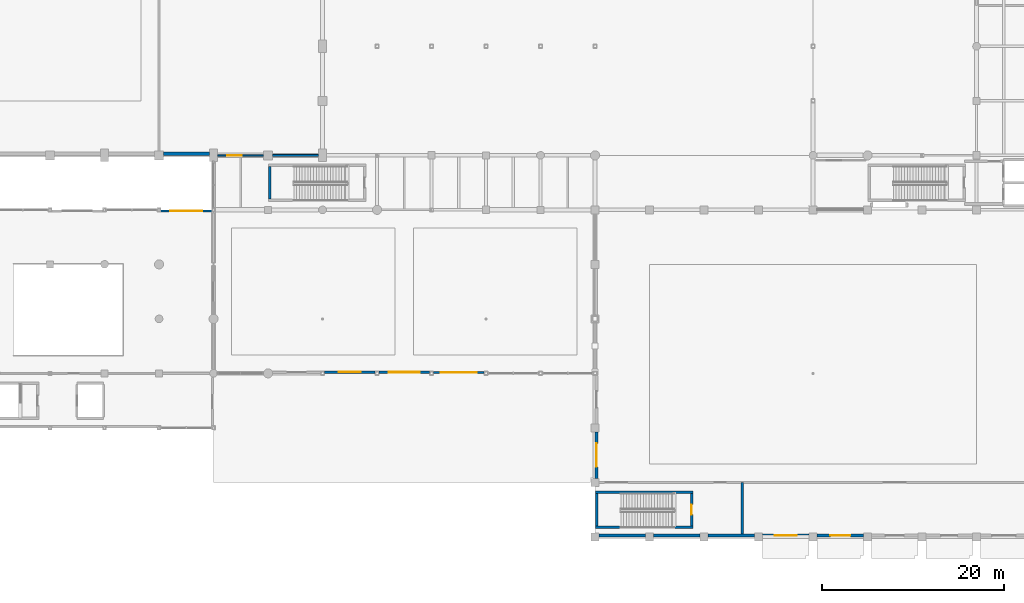
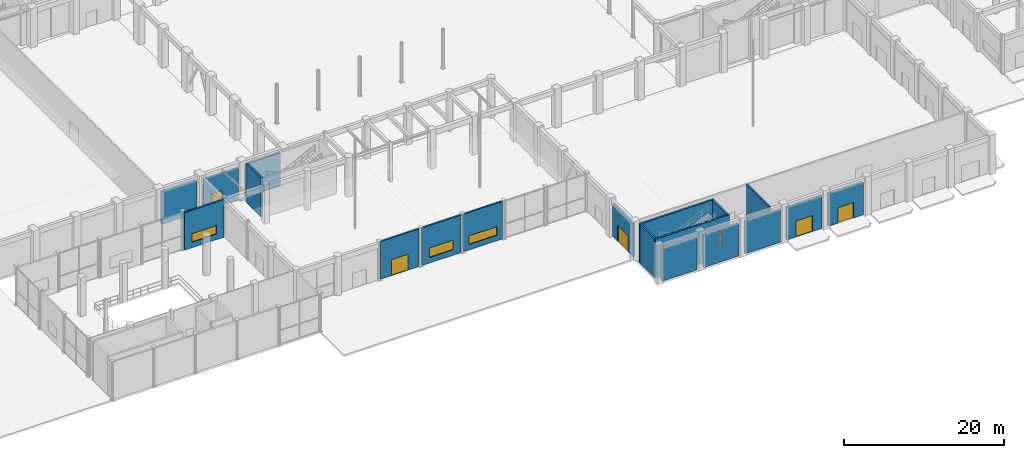
# One storey, part 79 of 106: 19 walls, 6 doors, 3 windows, 9 openings.
"""IFC4 building model written with IfcOpenShell, lengths in metres."""

from ifc_helpers import new_model, si_unit, direction, frame, frame_2d, origin, place, context, subcontext, project, spatial, rectangle, extrude, material, layer, layer_set, type_object, element, fill, save


model = new_model("IFC4")

# Units and contexts
model_context = context("Model", 3, precision=1e-05, world=origin(), true_north=direction((0.0, 1.0)))
body_context = subcontext(model_context, "Body", "Model", "MODEL_VIEW")
ifc_project = project(units=[si_unit("LENGTHUNIT", "METRE"), si_unit("AREAUNIT", "SQUARE_METRE"), si_unit("VOLUMEUNIT", "CUBIC_METRE"), si_unit("PLANEANGLEUNIT", "RADIAN"), si_unit("MASSUNIT", "GRAM", prefix="KILO"), si_unit("THERMODYNAMICTEMPERATUREUNIT", "KELVIN"), si_unit("POWERUNIT", "WATT")], contexts=[model_context])

# Site, building, storey
site_placement = place(None, origin())
site = spatial("IfcSite", under=ifc_project, at=site_placement, CompositionType="ELEMENT")
building_placement = place(site_placement, origin())
building = spatial("IfcBuilding", under=site, at=building_placement, Name="Phaisarnlok Congress Hotel", CompositionType="ELEMENT")
storey_placement = place(building_placement, origin())
storey = spatial("IfcBuildingStorey", under=building, at=storey_placement, Name="L00", CompositionType="ELEMENT", Elevation=0.0)

# Wall, opening, window
ifc_material_1 = material(Name="Concrete C40/50", Category="concrete")
ifc_layer_1 = layer(ifc_material_1, 0.22998046875, Name="Concrete C40/50")
ifc_layer_set_1 = layer_set([ifc_layer_1], Name="Concrete C40/50")
wall_type_1 = type_object("IfcWallType", Name="WL-EXT-230", PredefinedType="SOLIDWALL", material=ifc_layer_set_1)
wall_1_placement = place(storey_placement, frame((78.208251953125, 18.114990234375, 0.0), z_axis=(0.0, 0.0, 1.0), x_axis=(1.0, 0.0, 0.0)))
wall_1 = element("IfcWall", 1, at=wall_1_placement, inside=storey, type_object=wall_type_1, Name="Exterior wall EW-06 (L00)", PredefinedType="SOLIDWALL", context=body_context, shape_type="SweptSolid", body=[
    extrude(rectangle(XDim=5.58349609375, YDim=0.22998046875, at=frame_2d((2.791748046875, 0.0))), origin(), (0.0, 0.0, 1.0), 5.739990234375),
])
opening_1_placement = place(wall_1_placement, frame((0.7919921875, 0.0, 0.85009765625)))
opening_1 = element("IfcOpeningElement", 2, at=opening_1_placement, cuts=wall_1, Name="Opening W-19", PredefinedType="OPENING", context=body_context, shape_type="SweptSolid", body=[
    extrude(rectangle(XDim=4.0, YDim=1.300048828125, at=frame_2d((2.0, 0.64990234375))), frame((0.0, 0.125, 0.0), z_axis=(0.0, -1.0, 0.0), x_axis=(1.0, 0.0, 0.0)), (0.0, 0.0, 1.0), 0.25),
])
ifc_material_2 = material(Name="Thermally Broken Aluminium & Low-E Double Glazing", Category="aluminium")
window_type_1 = type_object("IfcWindowType", Name="WIN-CLER-4000", PartitioningType="SINGLE_PANEL", PredefinedType="WINDOW", material=ifc_material_2)
window_1_placement = place(opening_1_placement, origin())
window_1 = element("IfcWindow", 3, at=window_1_placement, inside=storey, type_object=window_type_1, Name="Podium window W-19 (L00)", OverallHeight=1.300048828125, OverallWidth=4.0, PartitioningType="SINGLE_PANEL", PredefinedType="WINDOW", context=body_context, shape_type="SweptSolid", body=[
    extrude(rectangle(XDim=4.0, YDim=1.300048828125, at=frame_2d((2.0, 0.64990234375))), frame((0.0, 0.030029296875, 0.0), z_axis=(0.0, -1.0, 0.0), x_axis=(1.0, 0.0, 0.0)), (0.0, 0.0, 1.0), 0.06005859375),
])
fill(opening_1, window_1)

ifc_layer_2 = layer(ifc_material_1, 0.25, Name="Concrete C40/50")
ifc_layer_set_2 = layer_set([ifc_layer_2], Name="Concrete C40/50")
wall_type_2 = type_object("IfcWallType", Name="WL-EXT-250", PredefinedType="SOLIDWALL", material=ifc_layer_set_2)
wall_2_placement = place(storey_placement, frame((72.208251953125, 18.125, 0.0), z_axis=(0.0, 0.0, 1.0), x_axis=(1.0, 0.0, 0.0)))
wall_2 = element("IfcWall", 4, at=wall_2_placement, inside=storey, type_object=wall_type_2, Name="Exterior wall EW-05 (L00)", PredefinedType="SOLIDWALL", context=body_context, shape_type="SweptSolid", body=[
    extrude(rectangle(XDim=5.58349609375, YDim=0.25, at=frame_2d((2.791748046875, 0.0))), origin(), (0.0, 0.0, 1.0), 5.739990234375),
])
opening_2_placement = place(wall_2_placement, frame((1.092041015625, 0.0, 0.85009765625)))
opening_2 = element("IfcOpeningElement", 5, at=opening_2_placement, cuts=wall_2, Name="Opening W-18", PredefinedType="OPENING", context=body_context, shape_type="SweptSolid", body=[
    extrude(rectangle(XDim=3.39990234375, YDim=1.449951171875, at=frame_2d((1.699951171875, 0.72509765625))), frame((0.0, 0.135009765625, 0.0), z_axis=(0.0, -1.0, 0.0), x_axis=(1.0, 0.0, 0.0)), (0.0, 0.0, 1.0), 0.27001953125),
])
window_type_2 = type_object("IfcWindowType", Name="WIN-RIB-3400", PartitioningType="SINGLE_PANEL", PredefinedType="WINDOW", material=ifc_material_2)
window_2_placement = place(opening_2_placement, origin())
window_2 = element("IfcWindow", 6, at=window_2_placement, inside=storey, type_object=window_type_2, Name="Podium window W-18 (L00)", OverallHeight=1.449951171875, OverallWidth=3.39990234375, PartitioningType="SINGLE_PANEL", PredefinedType="WINDOW", context=body_context, shape_type="SweptSolid", body=[
    extrude(rectangle(XDim=3.39990234375, YDim=1.449951171875, at=frame_2d((1.699951171875, 0.72509765625))), frame((0.0, 0.030029296875, 0.0), z_axis=(0.0, -1.0, 0.0), x_axis=(1.0, 0.0, 0.0)), (0.0, 0.0, 1.0), 0.06005859375),
])
fill(opening_2, window_2)

wall_3_placement = place(storey_placement, frame((53.8330078125, 35.875, 0.0), z_axis=(0.0, 0.0, 1.0), x_axis=(-1.0, 0.0, 0.0)))
wall_3 = element("IfcWall", 7, at=wall_3_placement, inside=storey, type_object=wall_type_2, Name="Exterior wall EW-05 (L00)", PredefinedType="SOLIDWALL", context=body_context, shape_type="SweptSolid", body=[
    extrude(rectangle(XDim=5.666015625, YDim=0.25, at=frame_2d((2.8330078125, 0.0))), origin(), (0.0, 0.0, 1.0), 5.739990234375),
])
opening_3_placement = place(wall_3_placement, frame((1.0830078125, 0.0, 0.85009765625)))
opening_3 = element("IfcOpeningElement", 8, at=opening_3_placement, cuts=wall_3, Name="Opening W-20", PredefinedType="OPENING", context=body_context, shape_type="SweptSolid", body=[
    extrude(rectangle(XDim=3.5, YDim=1.300048828125, at=frame_2d((1.75, 0.64990234375))), frame((0.0, 0.135009765625, 0.0), z_axis=(0.0, -1.0, 0.0), x_axis=(1.0, 0.0, 0.0)), (0.0, 0.0, 1.0), 0.27001953125),
])
window_type_3 = type_object("IfcWindowType", Name="WIN-CLER-3500", PartitioningType="SINGLE_PANEL", PredefinedType="WINDOW", material=ifc_material_2)
window_3_placement = place(opening_3_placement, origin())
window_3 = element("IfcWindow", 9, at=window_3_placement, inside=storey, type_object=window_type_3, Name="Podium window W-20 (L00)", OverallHeight=1.300048828125, OverallWidth=3.5, PartitioningType="SINGLE_PANEL", PredefinedType="WINDOW", context=body_context, shape_type="SweptSolid", body=[
    extrude(rectangle(XDim=3.5, YDim=1.300048828125, at=frame_2d((1.75, 0.64990234375))), frame((0.0, 0.030029296875, 0.0), z_axis=(0.0, -1.0, 0.0), x_axis=(1.0, 0.0, 0.0)), (0.0, 0.0, 1.0), 0.06005859375),
])
fill(opening_3, window_3)

# Wall, opening, door
ifc_layer_3 = layer(ifc_material_1, 0.27001953125, Name="Concrete C40/50")
ifc_layer_set_3 = layer_set([ifc_layer_3], Name="Concrete C40/50")
wall_type_3 = type_object("IfcWallType", Name="WL-EXT-270", PredefinedType="SOLIDWALL", material=ifc_layer_set_3)
wall_4_placement = place(storey_placement, frame((66.208251953125, 18.135009765625, 0.0), z_axis=(0.0, 0.0, 1.0), x_axis=(1.0, 0.0, 0.0)))
wall_4 = element("IfcWall", 10, at=wall_4_placement, inside=storey, type_object=wall_type_3, Name="Exterior wall EW-04 (L00)", PredefinedType="SOLIDWALL", context=body_context, shape_type="SweptSolid", body=[
    extrude(rectangle(XDim=5.58349609375, YDim=0.27001953125, at=frame_2d((2.791748046875, 0.0))), origin(), (0.0, 0.0, 1.0), 5.739990234375),
])
opening_4_placement = place(wall_4_placement, frame((1.592041015625, 0.0, 0.0)))
opening_4 = element("IfcOpeningElement", 11, at=opening_4_placement, cuts=wall_4, Name="Opening TD-02", PredefinedType="OPENING", context=body_context, shape_type="SweptSolid", body=[
    extrude(rectangle(XDim=2.39990234375, YDim=2.449951171875, at=frame_2d((1.199951171875, 1.22509765625))), frame((0.0, 0.14501953125, 0.0), z_axis=(0.0, -1.0, 0.0), x_axis=(1.0, 0.0, 0.0)), (0.0, 0.0, 1.0), 0.2900390625),
])
ifc_material_3 = material(Name="Powder-Coated Steel & Laminated Safety Glass", Category="steel")
door_type_1 = type_object("IfcDoorType", Name="DR-ENTR-2400", OperationType="DOUBLE_DOOR_SLIDING", PredefinedType="DOOR", material=ifc_material_3)
door_1_placement = place(opening_4_placement, frame((2.39990234375, 0.0, 0.0), z_axis=(0.0, 0.0, 1.0), x_axis=(-1.0, 0.0, 0.0)))
door_1 = element("IfcDoor", 12, at=door_1_placement, inside=storey, type_object=door_type_1, Name="Outdoor terrace door TD-02 (L00)", OperationType="SINGLE_SWING_LEFT", OverallHeight=2.449951171875, OverallWidth=2.39990234375, PredefinedType="DOOR", context=body_context, shape_type="SweptSolid", body=[
    extrude(rectangle(XDim=2.39990234375, YDim=2.449951171875, at=frame_2d((1.199951171875, 1.22509765625))), frame((0.0, 0.02490234375, 0.0), z_axis=(0.0, -1.0, 0.0), x_axis=(1.0, 0.0, 0.0)), (0.0, 0.0, 1.0), 0.050048828125),
])
fill(opening_4, door_1)

ifc_layer_4 = layer(ifc_material_1, 0.320068359375, Name="Concrete C40/50")
ifc_layer_set_4 = layer_set([ifc_layer_4], Name="Concrete C40/50")
wall_type_4 = type_object("IfcWallType", Name="WL-EXT-320", PredefinedType="SOLIDWALL", material=ifc_layer_set_4)
wall_5_placement = place(storey_placement, frame((96.159912109375, 11.544921875, 0.0), z_axis=(0.0, 0.0, 1.0), x_axis=(0.0, -1.0, 0.0)))
wall_5 = element("IfcWall", 13, at=wall_5_placement, inside=storey, type_object=wall_type_4, Name="Exterior wall EW-02 (L00)", PredefinedType="SOLIDWALL", context=body_context, shape_type="SweptSolid", body=[
    extrude(rectangle(XDim=5.08984375, YDim=0.320068359375, at=frame_2d((2.544921875, 0.0))), origin(), (0.0, 0.0, 1.0), 4.989990234375),
])
opening_5_placement = place(wall_5_placement, frame((1.2451171875, 0.0, 0.0)))
opening_5 = element("IfcOpeningElement", 14, at=opening_5_placement, cuts=wall_5, Name="Opening FE-03", PredefinedType="OPENING", context=body_context, shape_type="SweptSolid", body=[
    extrude(rectangle(XDim=2.60009765625, YDim=2.5, at=frame_2d((1.300048828125, 1.25))), frame((0.0, 0.169921875, 0.0), z_axis=(0.0, -1.0, 0.0), x_axis=(1.0, 0.0, 0.0)), (0.0, 0.0, 1.0), 0.340087890625),
])
door_type_2 = type_object("IfcDoorType", Name="DR-ENTR-2600", OperationType="DOUBLE_DOOR_SLIDING", PredefinedType="DOOR", material=ifc_material_3)
door_2_placement = place(opening_5_placement, frame((2.60009765625, 0.0, 0.0), z_axis=(0.0, 0.0, 1.0), x_axis=(-1.0, 0.0, 0.0)))
door_2 = element("IfcDoor", 15, at=door_2_placement, inside=storey, type_object=door_type_2, Name="Ground final exit door FE-03", OperationType="SINGLE_SWING_LEFT", OverallHeight=2.5, OverallWidth=2.60009765625, PredefinedType="DOOR", context=body_context, shape_type="SweptSolid", body=[
    extrude(rectangle(XDim=2.60009765625, YDim=2.5, at=frame_2d((1.300048828125, 1.25))), frame((0.0, 0.02490234375, 0.0), z_axis=(0.0, -1.0, 0.0), x_axis=(1.0, 0.0, 0.0)), (0.0, 0.0, 1.0), 0.050048828125),
])
fill(opening_5, door_2)

# Walls
for number, where, z_axis, x_axis, name in (
    (16, (96.455078125, 0.159912109375, 0.0), (0.0, 0.0, 1.0), (1.0, 0.0, 0.0), "Exterior wall EW-02 (L00)"),
    (17, (102.455078125, 0.159912109375, 0.0), (0.0, 0.0, 1.0), (1.0, 0.0, 0.0), "Exterior wall EW-02 (L00)"),
    (18, (108.455078125, 0.159912109375, 0.0), (0.0, 0.0, 1.0), (1.0, 0.0, 0.0), "Exterior wall EW-02 (L00)"),
):
    element("IfcWall", number, at=place(storey_placement, frame(where, z_axis=z_axis, x_axis=x_axis)), inside=storey, type_object=wall_type_4, Name=name, PredefinedType="SOLIDWALL", context=body_context, shape_type="SweptSolid", body=[
        extrude(rectangle(XDim=5.08984375, YDim=0.320068359375, at=frame_2d((2.544921875, 0.0))), origin(), (0.0, 0.0, 1.0), 4.989990234375),
    ])

# Wall, opening, door
wall_6_placement = place(storey_placement, frame((114.455078125, 0.159912109375, 0.0), z_axis=(0.0, 0.0, 1.0), x_axis=(1.0, 0.0, 0.0)))
wall_6 = element("IfcWall", 19, at=wall_6_placement, inside=storey, type_object=wall_type_4, Name="Exterior wall EW-02 (L00)", PredefinedType="SOLIDWALL", context=body_context, shape_type="SweptSolid", body=[
    extrude(rectangle(XDim=5.08984375, YDim=0.320068359375, at=frame_2d((2.544921875, 0.0))), origin(), (0.0, 0.0, 1.0), 4.989990234375),
])
opening_6_placement = place(wall_6_placement, frame((1.344970703125, 0.0, 0.0)))
opening_6 = element("IfcOpeningElement", 20, at=opening_6_placement, cuts=wall_6, Name="Opening FE-04", PredefinedType="OPENING", context=body_context, shape_type="SweptSolid", body=[
    extrude(rectangle(XDim=2.39990234375, YDim=2.449951171875, at=frame_2d((1.199951171875, 1.22509765625))), frame((0.0, 0.169921875, 0.0), z_axis=(0.0, -1.0, 0.0), x_axis=(1.0, 0.0, 0.0)), (0.0, 0.0, 1.0), 0.340087890625),
])
door_3_placement = place(opening_6_placement, frame((2.39990234375, 0.0, 0.0), z_axis=(0.0, 0.0, 1.0), x_axis=(-1.0, 0.0, 0.0)))
door_3 = element("IfcDoor", 21, at=door_3_placement, inside=storey, type_object=door_type_1, Name="Ground final exit door FE-04", OperationType="SINGLE_SWING_LEFT", OverallHeight=2.449951171875, OverallWidth=2.39990234375, PredefinedType="DOOR", context=body_context, shape_type="SweptSolid", body=[
    extrude(rectangle(XDim=2.39990234375, YDim=2.449951171875, at=frame_2d((1.199951171875, 1.22509765625))), frame((0.0, 0.02490234375, 0.0), z_axis=(0.0, -1.0, 0.0), x_axis=(1.0, 0.0, 0.0)), (0.0, 0.0, 1.0), 0.050048828125),
])
fill(opening_6, door_3)

wall_7_placement = place(storey_placement, frame((120.455078125, 0.159912109375, 0.0), z_axis=(0.0, 0.0, 1.0), x_axis=(1.0, 0.0, 0.0)))
wall_7 = element("IfcWall", 22, at=wall_7_placement, inside=storey, type_object=wall_type_4, Name="Exterior wall EW-02 (L00)", PredefinedType="SOLIDWALL", context=body_context, shape_type="SweptSolid", body=[
    extrude(rectangle(XDim=5.08984375, YDim=0.320068359375, at=frame_2d((2.544921875, 0.0))), origin(), (0.0, 0.0, 1.0), 4.989990234375),
])
opening_7_placement = place(wall_7_placement, frame((1.445068359375, 0.0, 0.0)))
opening_7 = element("IfcOpeningElement", 23, at=opening_7_placement, cuts=wall_7, Name="Opening FE-05", PredefinedType="OPENING", context=body_context, shape_type="SweptSolid", body=[
    extrude(rectangle(XDim=2.199951171875, YDim=2.35009765625, at=frame_2d((1.10009765625, 1.175048828125))), frame((0.0, 0.169921875, 0.0), z_axis=(0.0, -1.0, 0.0), x_axis=(1.0, 0.0, 0.0)), (0.0, 0.0, 1.0), 0.340087890625),
])
door_type_3 = type_object("IfcDoorType", Name="DR-EXIT-2200", OperationType="DOUBLE_DOOR_SINGLE_SWING", PredefinedType="DOOR", material=ifc_material_3)
door_4_placement = place(opening_7_placement, frame((2.199951171875, 0.0, 0.0), z_axis=(0.0, 0.0, 1.0), x_axis=(-1.0, 0.0, 0.0)))
door_4 = element("IfcDoor", 24, at=door_4_placement, inside=storey, type_object=door_type_3, Name="Ground final exit door FE-05", OperationType="SINGLE_SWING_LEFT", OverallHeight=2.35009765625, OverallWidth=2.199951171875, PredefinedType="DOOR", context=body_context, shape_type="SweptSolid", body=[
    extrude(rectangle(XDim=2.199951171875, YDim=2.35009765625, at=frame_2d((1.10009765625, 1.175048828125))), frame((0.0, 0.02490234375, 0.0), z_axis=(0.0, -1.0, 0.0), x_axis=(1.0, 0.0, 0.0)), (0.0, 0.0, 1.0), 0.050048828125),
])
fill(opening_7, door_4)

# Wall
ifc_layer_5 = layer(ifc_material_1, 0.360107421875, Name="Concrete C40/50")
ifc_layer_set_5 = layer_set([ifc_layer_5], Name="Concrete C40/50")
wall_type_5 = type_object("IfcWallType", Name="WL-EXT-360", PredefinedType="SOLIDWALL", material=ifc_layer_set_5)
wall_8_placement = place(storey_placement, frame((48.5048828125, 42.179931640625, 0.0), z_axis=(0.0, 0.0, 1.0), x_axis=(1.0, 0.0, 0.0)))
element("IfcWall", 25, at=wall_8_placement, inside=storey, type_object=wall_type_5, Name="Exterior wall EW-01 (L00)", PredefinedType="SOLIDWALL", context=body_context, shape_type="SweptSolid", body=[
    extrude(rectangle(XDim=5.0400390625, YDim=0.360107421875, at=frame_2d((2.52001953125, 0.0))), origin(), (0.0, 0.0, 1.0), 4.989990234375),
])

# Wall, opening, door
ifc_material_4 = material(Name="Acoustic Gypsum Board & Mineral Wool", Category="gypsum")
ifc_layer_6 = layer(ifc_material_4, 0.14990234375, Name="Acoustic Gypsum Board & Mineral Wool")
ifc_layer_set_6 = layer_set([ifc_layer_6], Name="Acoustic Gypsum Board & Mineral Wool")
wall_type_6 = type_object("IfcWallType", Name="WL-INT-150", PredefinedType="PARTITIONING", material=ifc_layer_set_6)
wall_9_placement = place(storey_placement, frame((54.455078125, 42.0, 0.0), z_axis=(0.0, 0.0, 1.0), x_axis=(1.0, 0.0, 0.0)))
wall_9 = element("IfcWall", 26, at=wall_9_placement, inside=storey, type_object=wall_type_6, Name="Interior partition wall IW-05 (L00)", PredefinedType="PARTITIONING", context=body_context, shape_type="SweptSolid", body=[
    extrude(rectangle(XDim=5.0400390625, YDim=0.14990234375, at=frame_2d((2.52001953125, 0.0))), origin(), (0.0, 0.0, 1.0), 4.93994140625),
])
opening_8_placement = place(wall_9_placement, frame((1.06494140625, 0.0, 0.0)))
opening_8 = element("IfcOpeningElement", 27, at=opening_8_placement, cuts=wall_9, Name="Opening D-0051", PredefinedType="OPENING", context=body_context, shape_type="SweptSolid", body=[
    extrude(rectangle(XDim=1.60009765625, YDim=2.25, at=frame_2d((0.800048828125, 1.125))), frame((0.0, 0.0849609375, 0.0), z_axis=(0.0, -1.0, 0.0), x_axis=(1.0, 0.0, 0.0)), (0.0, 0.0, 1.0), 0.169921875),
])
ifc_material_5 = material(Name="Frameless Tempered Acoustic Glass", Category="glass")
door_type_4 = type_object("IfcDoorType", Name="DR-GLZ-1600", OperationType="DOUBLE_DOOR_SINGLE_SWING", PredefinedType="DOOR", material=ifc_material_5)
door_5_placement = place(opening_8_placement, origin())
door_5 = element("IfcDoor", 28, at=door_5_placement, inside=storey, type_object=door_type_4, Name="Interior door D-0051 (L00)", OperationType="DOUBLE_DOOR_SINGLE_SWING", OverallHeight=2.25, OverallWidth=1.60009765625, PredefinedType="DOOR", context=body_context, shape_type="SweptSolid", body=[
    extrude(rectangle(XDim=1.60009765625, YDim=2.25, at=frame_2d((0.800048828125, 1.125))), frame((0.0, 0.02490234375, 0.0), z_axis=(0.0, -1.0, 0.0), x_axis=(1.0, 0.0, 0.0)), (0.0, 0.0, 1.0), 0.050048828125),
])
fill(opening_8, door_5)

# Walls
ifc_material_6 = material(Name="Autoclaved Aerated Concrete Block", Category="concrete")
ifc_layer_7 = layer(ifc_material_6, 0.199951171875, Name="Autoclaved Aerated Concrete Block")
ifc_layer_set_7 = layer_set([ifc_layer_7], Name="Autoclaved Aerated Concrete Block")
wall_type_7 = type_object("IfcWallType", Name="WL-INT-200", PredefinedType="PARTITIONING", material=ifc_layer_set_7)
wall_10_placement = place(storey_placement, frame((60.5048828125, 42.0, 0.0), z_axis=(0.0, 0.0, 1.0), x_axis=(1.0, 0.0, 0.0)))
element("IfcWall", 29, at=wall_10_placement, inside=storey, type_object=wall_type_7, Name="Interior partition wall IW-02 (L00)", PredefinedType="PARTITIONING", context=body_context, shape_type="SweptSolid", body=[
    extrude(rectangle(XDim=5.0400390625, YDim=0.199951171875, at=frame_2d((2.52001953125, 0.0))), origin(), (0.0, 0.0, 1.0), 5.0400390625),
])
ifc_layer_8 = layer(ifc_material_1, 0.239990234375, Name="Concrete C40/50")
ifc_layer_set_8 = layer_set([ifc_layer_8], Name="Concrete C40/50")
wall_type_8 = type_object("IfcWallType", Name="WL-INT-240", PredefinedType="PARTITIONING", material=ifc_layer_set_8)
wall_11_placement = place(storey_placement, frame((112.199951171875, 0.324951171875, 0.0), z_axis=(0.0, 0.0, 1.0), x_axis=(0.0, 1.0, 0.0)))
element("IfcWall", 30, at=wall_11_placement, inside=storey, type_object=wall_type_8, Name="Interior partition wall IW-01 (L00)", PredefinedType="PARTITIONING", context=body_context, shape_type="SweptSolid", body=[
    extrude(rectangle(XDim=5.675048828125, YDim=0.239990234375, at=frame_2d((2.83740234375, 0.0))), origin(), (0.0, 0.0, 1.0), 5.739990234375),
])
ifc_material_7 = material(Name="Concrete C50/60", Category="concrete")
ifc_layer_9 = layer(ifc_material_7, 0.260009765625, Name="Concrete C50/60")
ifc_layer_set_9 = layer_set([ifc_layer_9], Name="Concrete C50/60")
wall_type_9 = type_object("IfcWallType", Name="WL-SHR-260", PredefinedType="SHEAR", material=ifc_layer_set_9)
wall_12_placement = place(storey_placement, frame((60.169921875, 37.199951171875, 0.0), z_axis=(0.0, 0.0, 1.0), x_axis=(0.0, 1.0, 0.0)))
element("IfcWall", 31, at=wall_12_placement, inside=storey, type_object=wall_type_9, Name="Stair shaft shear wall SW-04 (STAIR-POD-S L00)", PredefinedType="SHEAR", context=body_context, shape_type="SweptSolid", body=[
    extrude(rectangle(XDim=3.60009765625, YDim=0.260009765625, at=frame_2d((1.800048828125, 0.0))), origin(), (0.0, 0.0, 1.0), 6.0),
])
for number, where, z_axis, x_axis, name in (
    (32, (96.0400390625, 1.070068359375, 0.0), (0.0, 0.0, 1.0), (1.0, 0.0, 0.0), "Stair shaft shear wall SW-04 (STAIR-S L00)"),
    (33, (96.0400390625, 4.929931640625, 0.0), (0.0, 0.0, 1.0), (1.0, 0.0, 0.0), "Stair shaft shear wall SW-04 (STAIR-S L00)"),
):
    element("IfcWall", number, at=place(storey_placement, frame(where, z_axis=z_axis, x_axis=x_axis)), inside=storey, type_object=wall_type_9, Name=name, PredefinedType="SHEAR", context=body_context, shape_type="SweptSolid", body=[
        extrude(rectangle(XDim=10.719970703125, YDim=0.260009765625, at=frame_2d((5.35986328125, 0.0))), origin(), (0.0, 0.0, 1.0), 6.0),
    ])

# Wall, opening, door
wall_13_placement = place(storey_placement, frame((106.6298828125, 1.199951171875, 0.0), z_axis=(0.0, 0.0, 1.0), x_axis=(0.0, 1.0, 0.0)))
wall_13 = element("IfcWall", 34, at=wall_13_placement, inside=storey, type_object=wall_type_9, Name="Stair shaft shear wall SW-04 (STAIR-S L00)", PredefinedType="SHEAR", context=body_context, shape_type="SweptSolid", body=[
    extrude(rectangle(XDim=3.60009765625, YDim=0.260009765625, at=frame_2d((1.800048828125, 0.0))), origin(), (0.0, 0.0, 1.0), 6.0),
])
opening_9_placement = place(wall_13_placement, frame((1.25, 0.0, 0.0)))
opening_9 = element("IfcOpeningElement", 35, at=opening_9_placement, cuts=wall_13, Name="Opening FD-171", PredefinedType="OPENING", context=body_context, shape_type="SweptSolid", body=[
    extrude(rectangle(XDim=1.10009765625, YDim=2.14990234375, at=frame_2d((0.550048828125, 1.074951171875))), frame((0.0, 0.14013671875, 0.0), z_axis=(0.0, -1.0, 0.0), x_axis=(1.0, 0.0, 0.0)), (0.0, 0.0, 1.0), 0.280029296875),
])
ifc_material_8 = material(Name="Fire-Rated Steel Frame & Timber Leaf", Category="steel")
door_type_5 = type_object("IfcDoorType", Name="DR-FD60-1100", OperationType="NOTDEFINED", PredefinedType="DOOR", material=ifc_material_8)
door_6_placement = place(opening_9_placement, origin())
door_6 = element("IfcDoor", 36, at=door_6_placement, inside=storey, type_object=door_type_5, Name="Stair enclosure fire door FD-171 (L00)", OperationType="SINGLE_SWING_RIGHT", OverallHeight=2.14990234375, OverallWidth=1.10009765625, PredefinedType="DOOR", context=body_context, shape_type="SweptSolid", body=[
    extrude(rectangle(XDim=1.10009765625, YDim=2.14990234375, at=frame_2d((0.550048828125, 1.074951171875))), frame((0.0, 0.02490234375, 0.0), z_axis=(0.0, -1.0, 0.0), x_axis=(1.0, 0.0, 0.0)), (0.0, 0.0, 1.0), 0.050048828125),
])
fill(opening_9, door_6)

# Wall
ifc_layer_10 = layer(ifc_material_7, 0.260009765625, Name="Concrete C50/60")
ifc_layer_set_10 = layer_set([ifc_layer_10], Name="Concrete C50/60")
wall_type_10 = type_object("IfcWallType", Name="WL-SHR-260-EXT", PredefinedType="SHEAR", material=ifc_layer_set_10)
wall_14_placement = place(storey_placement, frame((96.169921875, 1.199951171875, 0.0), z_axis=(0.0, 0.0, 1.0), x_axis=(0.0, 1.0, 0.0)))
element("IfcWall", 37, at=wall_14_placement, inside=storey, type_object=wall_type_10, Name="Stair shaft shear wall SW-04E (STAIR-S L00)", PredefinedType="SHEAR", context=body_context, shape_type="SweptSolid", body=[
    extrude(rectangle(XDim=3.60009765625, YDim=0.260009765625, at=frame_2d((1.800048828125, 0.0))), origin(), (0.0, 0.0, 1.0), 6.0),
])

save(model, "model.ifc")
